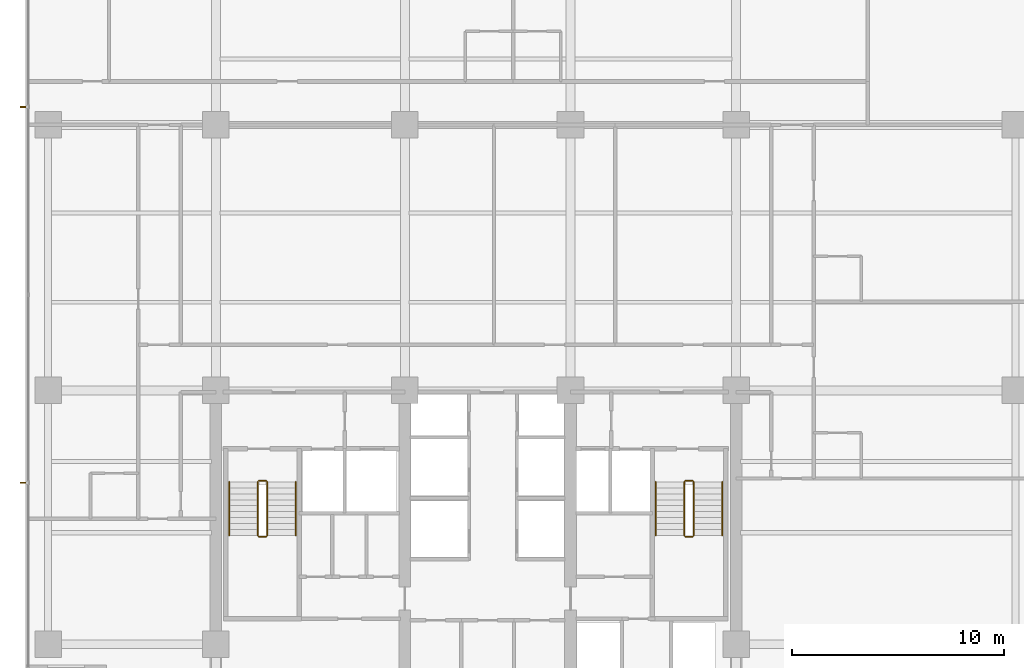
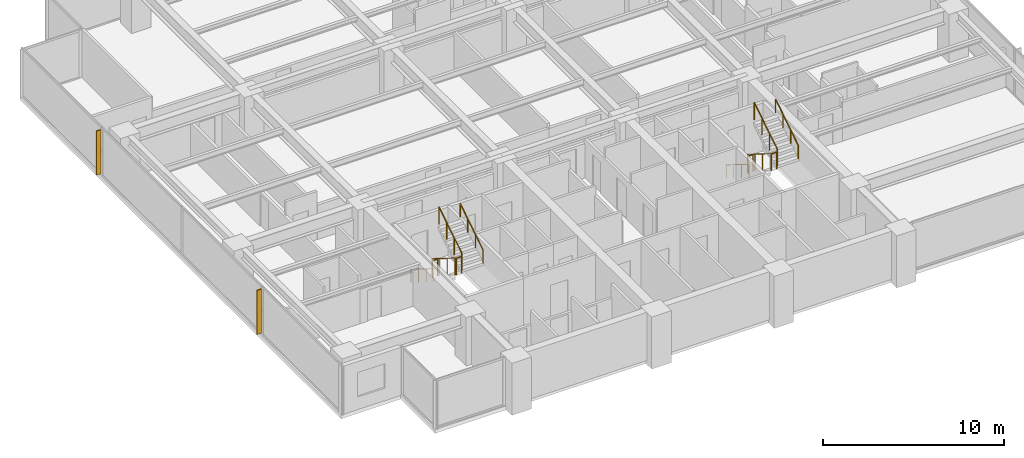
# One storey, part 15 of 16: 12 railings, 2 shading devices.
"""IFC4 building model written with IfcOpenShell, lengths in metres."""

from ifc_helpers import new_model, si_unit, direction, frame, origin, origin_2d, place, context, subcontext, project, spatial, polyline, circle, outline, extrude, material, layer, layer_set, type_object, element, save


model = new_model("IFC4")

# Units and contexts
model_context = context("Model", 3, precision=1e-05, world=origin(), true_north=direction((0.0, 1.0)))
body_context = subcontext(model_context, "Body", "Model", "MODEL_VIEW")
ifc_project = project(units=[si_unit("LENGTHUNIT", "METRE"), si_unit("AREAUNIT", "SQUARE_METRE"), si_unit("VOLUMEUNIT", "CUBIC_METRE"), si_unit("PLANEANGLEUNIT", "RADIAN"), si_unit("MASSUNIT", "GRAM", prefix="KILO")], contexts=[model_context])

# Site, building, storey
site_placement = place(None, origin())
site = spatial("IfcSite", under=ifc_project, at=site_placement, CompositionType="ELEMENT")
building_placement = place(site_placement, origin())
building = spatial("IfcBuilding", under=site, at=building_placement, Name="Qalmaran Belvedere Hotel", CompositionType="ELEMENT")
storey_placement = place(building_placement, frame((0.0, 0.0, 123.199951171875)))
storey = spatial("IfcBuildingStorey", under=building, at=storey_placement, Name="L31", CompositionType="ELEMENT", Elevation=123.199951171875)

# Shading devices
ifc_material_1 = material(Name="Anodised Bronze Aluminium", Category="aluminium")
ifc_layer = layer(ifc_material_1, 0.06494140625, Name="Anodised Bronze Aluminium")
ifc_layer_set = layer_set([ifc_layer], Name="Anodised Bronze Aluminium")
shading_device_type = type_object("IfcShadingDeviceType", Name="FIN-BRNZ-300", PredefinedType="USERDEFINED", material=ifc_layer_set)
shading_device_1_placement = place(storey_placement, frame((0.0, 0.0, 0.16015625)))
element("IfcShadingDevice", 1, at=shading_device_1_placement, inside=storey, type_object=shading_device_type, Name="L31 Bronze Fin 1", ObjectType="FIN", PredefinedType="USERDEFINED", context=body_context, shape_type="SweptSolid", body=[
    extrude(outline(polyline([(11.3798828125, 33.882568359375), (11.080078125, 33.882568359375), (11.080078125, 33.8173828125), (11.3798828125, 33.8173828125), (11.3798828125, 33.882568359375)])), origin(), (0.0, 0.0, 1.0), 2.9599609375),
])
shading_device_2_placement = place(storey_placement, frame((0.0, 0.0, 0.16015625)))
element("IfcShadingDevice", 2, at=shading_device_2_placement, inside=storey, type_object=shading_device_type, Name="L31 Bronze Fin 3", ObjectType="FIN", PredefinedType="USERDEFINED", context=body_context, shape_type="SweptSolid", body=[
    extrude(outline(polyline([(11.3798828125, 16.1826171875), (11.080078125, 16.1826171875), (11.080078125, 16.117431640625), (11.3798828125, 16.117431640625), (11.3798828125, 16.1826171875)])), origin(), (0.0, 0.0, 1.0), 2.9599609375),
])

# Railings
ifc_material_2 = material(Name="Stainless Steel 1.4401", Category="steel")
railing_type_1 = type_object("IfcRailingType", Name="RLG-STAIR-GUARD-1150", PredefinedType="GUARDRAIL", material=ifc_material_2)
railing_1_placement = place(storey_placement, frame((22.280029296875, 16.18994140625, 0.175048828125)))
element("IfcRailing", 3, at=railing_1_placement, inside=storey, type_object=railing_type_1, Name="L31 ST-1 stair guard 1", PredefinedType="GUARDRAIL", context=body_context, shape_type="SweptSolid", body=[
    extrude(circle(Radius=0.02392578125, at=origin_2d()), frame((0.0, 0.0, 1.1259765625), z_axis=(0.0, -0.848007534815, 0.529984170421), x_axis=(1.0, 0.0, 0.0)), (0.0, 0.0, 1.0), 2.9716796875),
    extrude(circle(Radius=0.02099609375, at=origin_2d()), origin(), (0.0, 0.0, 1.0), 1.101806640625),
    extrude(circle(Radius=0.02099609375, at=origin_2d()), frame((0.0, -0.840087890625, 0.52490234375)), (0.0, 0.0, 1.0), 1.101806640625),
    extrude(circle(Radius=0.02099609375, at=origin_2d()), frame((0.0, -1.679931640625, 1.050048828125)), (0.0, 0.0, 1.0), 1.101806640625),
    extrude(circle(Radius=0.02099609375, at=origin_2d()), frame((0.0, -2.52001953125, 1.574951171875)), (0.0, 0.0, 1.0), 1.101806640625),
])
railing_2_placement = place(storey_placement, frame((22.330078125, 13.6201171875, 1.75)))
element("IfcRailing", 4, at=railing_2_placement, inside=storey, type_object=railing_type_1, Name="L31 ST-1 stair guard 2", PredefinedType="GUARDRAIL", context=body_context, shape_type="SweptSolid", body=[
    extrude(circle(Radius=0.02392578125, at=origin_2d()), frame((0.0, 0.0, 1.1259765625), z_axis=(1.0, 0.0, 0.0), x_axis=(0.0, 1.0, 0.0)), (0.0, 0.0, 1.0), 0.33984375),
    extrude(circle(Radius=0.02099609375, at=origin_2d()), origin(), (0.0, 0.0, 1.0), 1.101806640625),
    extrude(circle(Radius=0.02099609375, at=origin_2d()), frame((0.33984375, 0.0, 0.0)), (0.0, 0.0, 1.0), 1.101806640625),
])
railing_3_placement = place(storey_placement, frame((22.719970703125, 13.669921875, 1.925048828125)))
element("IfcRailing", 5, at=railing_3_placement, inside=storey, type_object=railing_type_1, Name="L31 ST-1 stair guard 3", PredefinedType="GUARDRAIL", context=body_context, shape_type="SweptSolid", body=[
    extrude(circle(Radius=0.02392578125, at=origin_2d()), frame((0.0, 0.0, 1.1259765625), z_axis=(0.0, 0.848007534815, 0.529984170421), x_axis=(-1.0, 0.0, 0.0)), (0.0, 0.0, 1.0), 2.9716796875),
    extrude(circle(Radius=0.02099609375, at=origin_2d()), origin(), (0.0, 0.0, 1.0), 1.101806640625),
    extrude(circle(Radius=0.02099609375, at=origin_2d()), frame((0.0, 0.840087890625, 0.52490234375)), (0.0, 0.0, 1.0), 1.101806640625),
    extrude(circle(Radius=0.02099609375, at=origin_2d()), frame((0.0, 1.679931640625, 1.050048828125)), (0.0, 0.0, 1.0), 1.101806640625),
    extrude(circle(Radius=0.02099609375, at=origin_2d()), frame((0.0, 2.52001953125, 1.574951171875)), (0.0, 0.0, 1.0), 1.101806640625),
])
railing_4_placement = place(storey_placement, frame((22.330078125, 16.239990234375, 0.0)))
element("IfcRailing", 6, at=railing_4_placement, inside=storey, type_object=railing_type_1, Name="L31 ST-1 stair guard 4", PredefinedType="GUARDRAIL", context=body_context, shape_type="SweptSolid", body=[
    extrude(circle(Radius=0.02392578125, at=origin_2d()), frame((0.0, 0.0, 1.1259765625), z_axis=(1.0, 0.0, 0.0), x_axis=(0.0, 1.0, 0.0)), (0.0, 0.0, 1.0), 0.33984375),
    extrude(circle(Radius=0.02099609375, at=origin_2d()), origin(), (0.0, 0.0, 1.0), 1.101806640625),
    extrude(circle(Radius=0.02099609375, at=origin_2d()), frame((0.33984375, 0.0, 0.0)), (0.0, 0.0, 1.0), 1.101806640625),
])
railing_5_placement = place(storey_placement, frame((42.360107421875, 16.18994140625, 0.175048828125)))
element("IfcRailing", 7, at=railing_5_placement, inside=storey, type_object=railing_type_1, Name="L31 ST-2 stair guard 1", PredefinedType="GUARDRAIL", context=body_context, shape_type="SweptSolid", body=[
    extrude(circle(Radius=0.02392578125, at=origin_2d()), frame((0.0, 0.0, 1.1259765625), z_axis=(0.0, -0.848007534815, 0.529984170421), x_axis=(1.0, 0.0, 0.0)), (0.0, 0.0, 1.0), 2.9716796875),
    extrude(circle(Radius=0.02099609375, at=origin_2d()), origin(), (0.0, 0.0, 1.0), 1.101806640625),
    extrude(circle(Radius=0.02099609375, at=origin_2d()), frame((0.0, -0.840087890625, 0.52490234375)), (0.0, 0.0, 1.0), 1.101806640625),
    extrude(circle(Radius=0.02099609375, at=origin_2d()), frame((0.0, -1.679931640625, 1.050048828125)), (0.0, 0.0, 1.0), 1.101806640625),
    extrude(circle(Radius=0.02099609375, at=origin_2d()), frame((0.0, -2.52001953125, 1.574951171875)), (0.0, 0.0, 1.0), 1.101806640625),
])
railing_6_placement = place(storey_placement, frame((42.409912109375, 13.6201171875, 1.75)))
element("IfcRailing", 8, at=railing_6_placement, inside=storey, type_object=railing_type_1, Name="L31 ST-2 stair guard 2", PredefinedType="GUARDRAIL", context=body_context, shape_type="SweptSolid", body=[
    extrude(circle(Radius=0.02392578125, at=origin_2d()), frame((0.0, 0.0, 1.1259765625), z_axis=(1.0, 0.0, 0.0), x_axis=(0.0, 1.0, 0.0)), (0.0, 0.0, 1.0), 0.340087890625),
    extrude(circle(Radius=0.02099609375, at=origin_2d()), origin(), (0.0, 0.0, 1.0), 1.101806640625),
    extrude(circle(Radius=0.02099609375, at=origin_2d()), frame((0.340087890625, 0.0, 0.0)), (0.0, 0.0, 1.0), 1.101806640625),
])
railing_7_placement = place(storey_placement, frame((42.800048828125, 13.669921875, 1.925048828125)))
element("IfcRailing", 9, at=railing_7_placement, inside=storey, type_object=railing_type_1, Name="L31 ST-2 stair guard 3", PredefinedType="GUARDRAIL", context=body_context, shape_type="SweptSolid", body=[
    extrude(circle(Radius=0.02392578125, at=origin_2d()), frame((0.0, 0.0, 1.1259765625), z_axis=(0.0, 0.848007534815, 0.529984170421), x_axis=(-1.0, 0.0, 0.0)), (0.0, 0.0, 1.0), 2.9716796875),
    extrude(circle(Radius=0.02099609375, at=origin_2d()), origin(), (0.0, 0.0, 1.0), 1.101806640625),
    extrude(circle(Radius=0.02099609375, at=origin_2d()), frame((0.0, 0.840087890625, 0.52490234375)), (0.0, 0.0, 1.0), 1.101806640625),
    extrude(circle(Radius=0.02099609375, at=origin_2d()), frame((0.0, 1.679931640625, 1.050048828125)), (0.0, 0.0, 1.0), 1.101806640625),
    extrude(circle(Radius=0.02099609375, at=origin_2d()), frame((0.0, 2.52001953125, 1.574951171875)), (0.0, 0.0, 1.0), 1.101806640625),
])
railing_8_placement = place(storey_placement, frame((42.409912109375, 16.239990234375, 0.0)))
element("IfcRailing", 10, at=railing_8_placement, inside=storey, type_object=railing_type_1, Name="L31 ST-2 stair guard 4", PredefinedType="GUARDRAIL", context=body_context, shape_type="SweptSolid", body=[
    extrude(circle(Radius=0.02392578125, at=origin_2d()), frame((0.0, 0.0, 1.1259765625), z_axis=(1.0, 0.0, 0.0), x_axis=(0.0, 1.0, 0.0)), (0.0, 0.0, 1.0), 0.340087890625),
    extrude(circle(Radius=0.02099609375, at=origin_2d()), origin(), (0.0, 0.0, 1.0), 1.101806640625),
    extrude(circle(Radius=0.02099609375, at=origin_2d()), frame((0.340087890625, 0.0, 0.0)), (0.0, 0.0, 1.0), 1.101806640625),
])
railing_type_2 = type_object("IfcRailingType", Name="RLG-STAIR-HAND-910", PredefinedType="HANDRAIL", material=ifc_material_2)
railing_9_placement = place(storey_placement, frame((20.929931640625, 16.18994140625, 0.175048828125)))
element("IfcRailing", 11, at=railing_9_placement, inside=storey, type_object=railing_type_2, Name="L31 ST-1 stair handrail 1", PredefinedType="HANDRAIL", context=body_context, shape_type="SweptSolid", body=[
    extrude(circle(Radius=0.02392578125, at=origin_2d()), frame((0.0, 0.0, 0.8857421875), z_axis=(0.0, -0.848007534815, 0.529984170421), x_axis=(1.0, 0.0, 0.0)), (0.0, 0.0, 1.0), 2.9716796875),
    extrude(circle(Radius=0.02099609375, at=origin_2d()), origin(), (0.0, 0.0, 1.0), 0.86181640625),
    extrude(circle(Radius=0.02099609375, at=origin_2d()), frame((0.0, -0.840087890625, 0.52490234375)), (0.0, 0.0, 1.0), 0.86181640625),
    extrude(circle(Radius=0.02099609375, at=origin_2d()), frame((0.0, -1.679931640625, 1.050048828125)), (0.0, 0.0, 1.0), 0.86181640625),
    extrude(circle(Radius=0.02099609375, at=origin_2d()), frame((0.0, -2.52001953125, 1.574951171875)), (0.0, 0.0, 1.0), 0.86181640625),
])
railing_10_placement = place(storey_placement, frame((24.070068359375, 13.669921875, 1.925048828125)))
element("IfcRailing", 12, at=railing_10_placement, inside=storey, type_object=railing_type_2, Name="L31 ST-1 stair handrail 2", PredefinedType="HANDRAIL", context=body_context, shape_type="SweptSolid", body=[
    extrude(circle(Radius=0.02392578125, at=origin_2d()), frame((0.0, 0.0, 0.8857421875), z_axis=(0.0, 0.848007534815, 0.529984170421), x_axis=(-1.0, 0.0, 0.0)), (0.0, 0.0, 1.0), 2.9716796875),
    extrude(circle(Radius=0.02099609375, at=origin_2d()), origin(), (0.0, 0.0, 1.0), 0.86181640625),
    extrude(circle(Radius=0.02099609375, at=origin_2d()), frame((0.0, 0.840087890625, 0.52490234375)), (0.0, 0.0, 1.0), 0.86181640625),
    extrude(circle(Radius=0.02099609375, at=origin_2d()), frame((0.0, 1.679931640625, 1.050048828125)), (0.0, 0.0, 1.0), 0.86181640625),
    extrude(circle(Radius=0.02099609375, at=origin_2d()), frame((0.0, 2.52001953125, 1.574951171875)), (0.0, 0.0, 1.0), 0.86181640625),
])
railing_11_placement = place(storey_placement, frame((41.010009765625, 16.18994140625, 0.175048828125)))
element("IfcRailing", 13, at=railing_11_placement, inside=storey, type_object=railing_type_2, Name="L31 ST-2 stair handrail 1", PredefinedType="HANDRAIL", context=body_context, shape_type="SweptSolid", body=[
    extrude(circle(Radius=0.02392578125, at=origin_2d()), frame((0.0, 0.0, 0.8857421875), z_axis=(0.0, -0.848007534815, 0.529984170421), x_axis=(1.0, 0.0, 0.0)), (0.0, 0.0, 1.0), 2.9716796875),
    extrude(circle(Radius=0.02099609375, at=origin_2d()), origin(), (0.0, 0.0, 1.0), 0.86181640625),
    extrude(circle(Radius=0.02099609375, at=origin_2d()), frame((0.0, -0.840087890625, 0.52490234375)), (0.0, 0.0, 1.0), 0.86181640625),
    extrude(circle(Radius=0.02099609375, at=origin_2d()), frame((0.0, -1.679931640625, 1.050048828125)), (0.0, 0.0, 1.0), 0.86181640625),
    extrude(circle(Radius=0.02099609375, at=origin_2d()), frame((0.0, -2.52001953125, 1.574951171875)), (0.0, 0.0, 1.0), 0.86181640625),
])
railing_12_placement = place(storey_placement, frame((44.14990234375, 13.669921875, 1.925048828125)))
element("IfcRailing", 14, at=railing_12_placement, inside=storey, type_object=railing_type_2, Name="L31 ST-2 stair handrail 2", PredefinedType="HANDRAIL", context=body_context, shape_type="SweptSolid", body=[
    extrude(circle(Radius=0.02392578125, at=origin_2d()), frame((0.0, 0.0, 0.8857421875), z_axis=(0.0, 0.848007534815, 0.529984170421), x_axis=(-1.0, 0.0, 0.0)), (0.0, 0.0, 1.0), 2.9716796875),
    extrude(circle(Radius=0.02099609375, at=origin_2d()), origin(), (0.0, 0.0, 1.0), 0.86181640625),
    extrude(circle(Radius=0.02099609375, at=origin_2d()), frame((0.0, 0.840087890625, 0.52490234375)), (0.0, 0.0, 1.0), 0.86181640625),
    extrude(circle(Radius=0.02099609375, at=origin_2d()), frame((0.0, 1.679931640625, 1.050048828125)), (0.0, 0.0, 1.0), 0.86181640625),
    extrude(circle(Radius=0.02099609375, at=origin_2d()), frame((0.0, 2.52001953125, 1.574951171875)), (0.0, 0.0, 1.0), 0.86181640625),
])

save(model, "model.ifc")
